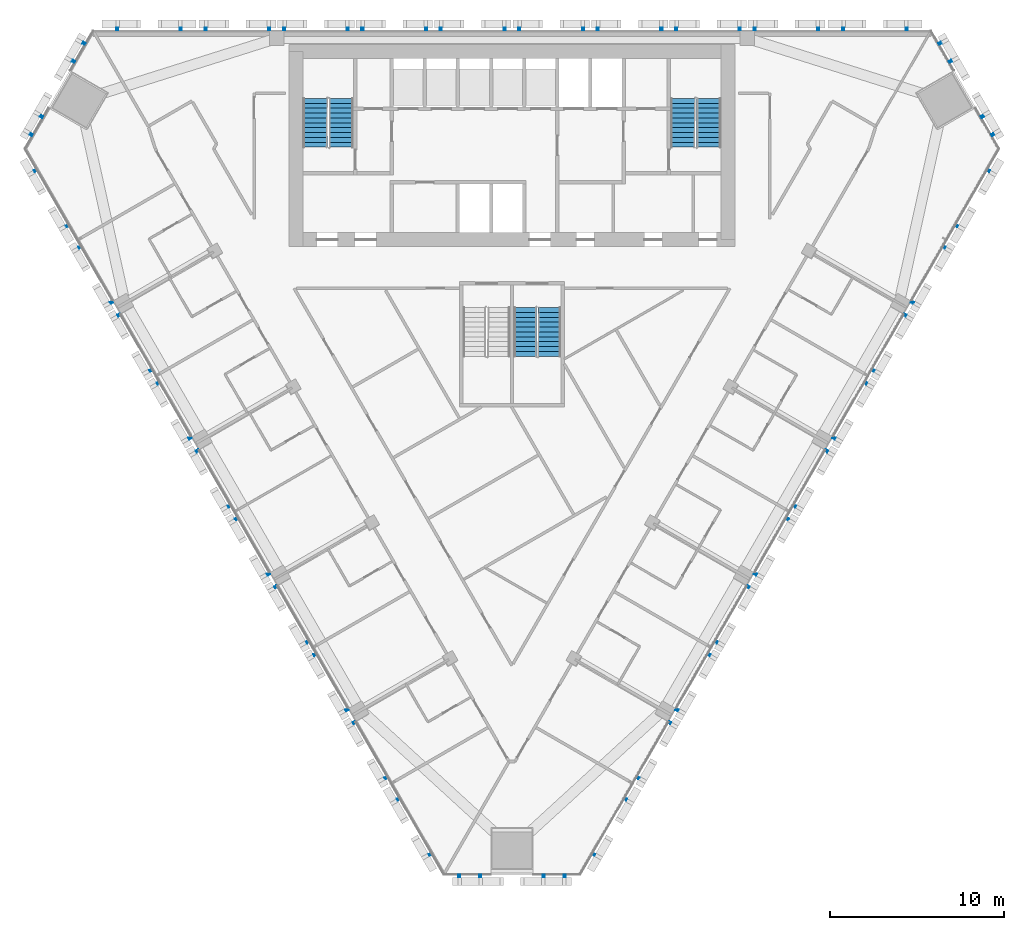
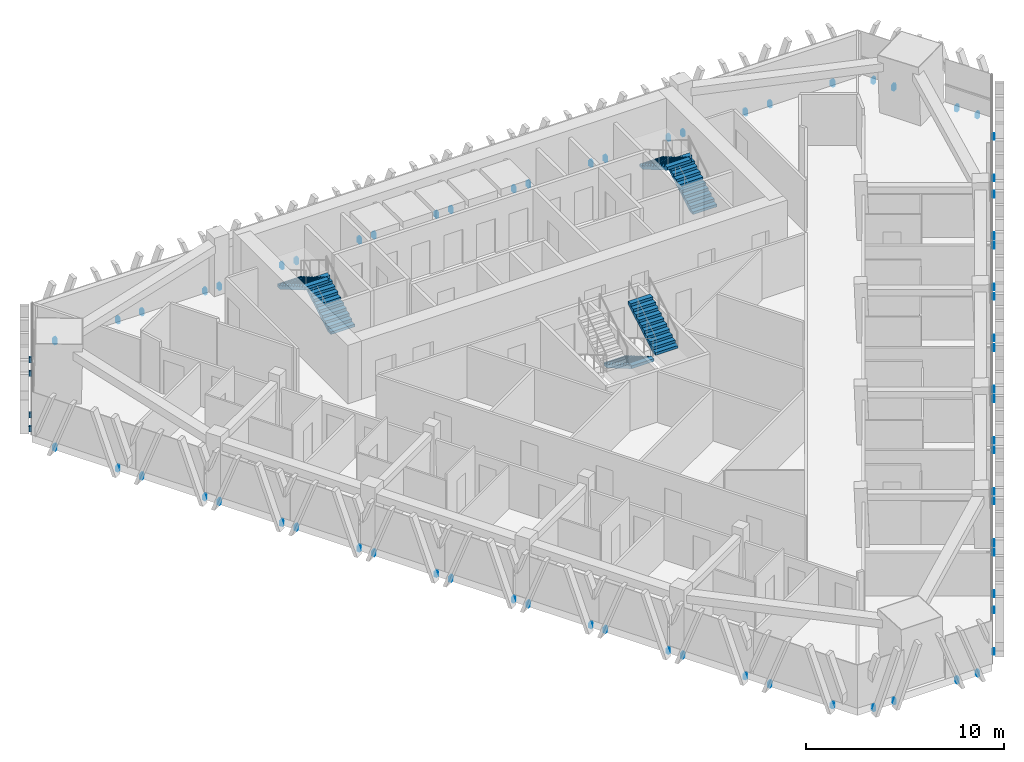
# One storey, part 13 of 16: 6 discrete accessories, 6 stair flights, 3 elements without a shape of their own.
"""IFC4 building model written with IfcOpenShell, lengths in metres."""

import ifcopenshell
import ifcopenshell.guid

model = None  # the IFC model being written
_history = None  # IfcOwnerHistory: only IFC2X3 demands one
_inside = {}  # id of a spatial element -> (the spatial element, [elements in it])
_under = {}  # id of a project, library or spatial element -> (it, [spatial elements below it])
_declared = {}  # id of a project -> (the project, [libraries it declares])
_typed = {}  # id of a type object -> (the type object, [elements of that type])
_made_of = {}  # id of a material, layer set ... -> (it, [elements and type objects made of it])


def new_model(schema):
    """Start an empty IFC model of exactly this schema.

    Asked for "IFC4X3", IfcOpenShell would pick the latest addendum, in which some entities
    have other attributes; the version numbers below select the first issue.
    IFC2X3 requires an IfcOwnerHistory on every rooted entity: one is made here for all.
    """
    global model, _history
    if schema == "IFC4X3":
        model = ifcopenshell.file(schema_version=(4, 3, 0, 0))
    else:
        model = ifcopenshell.file(schema=schema)
    _inside.clear()
    _under.clear()
    _declared.clear()
    _typed.clear()
    _made_of.clear()
    _history = None
    if model.schema == "IFC2X3":
        org = make("IfcOrganization", Name="unknown")
        user = make(
            "IfcPersonAndOrganization",
            ThePerson=make("IfcPerson", FamilyName="unknown"),
            TheOrganization=org,
        )
        app = make(
            "IfcApplication",
            ApplicationDeveloper=org,
            Version="unknown",
            ApplicationFullName="unknown",
            ApplicationIdentifier="unknown",
        )
        _history = make(
            "IfcOwnerHistory",
            OwningUser=user,
            OwningApplication=app,
            ChangeAction="ADDED",
            CreationDate=0,
        )
    return model


def make(cls, **values):
    """One entity of the class cls with the attributes given. An attribute that is None is left unset."""
    return model.create_entity(
        cls, **{name: value for name, value in values.items() if value is not None}
    )


def rooted(cls, **values):
    """An entity with a GlobalId (a new one), such as an element, a storey or a relation."""
    return make(cls, GlobalId=ifcopenshell.guid.new(), OwnerHistory=_history, **values)


def si_unit(unit_type, name, prefix=None):
    """IfcSIUnit, for example si_unit("LENGTHUNIT", "METRE", prefix="MILLI")."""
    return make("IfcSIUnit", UnitType=unit_type, Prefix=prefix, Name=name)


def assignment(units):
    """IfcUnitAssignment: the units of a project."""
    return None if units is None else make("IfcUnitAssignment", Units=units)


def point(xyz):
    """IfcCartesianPoint."""
    return None if xyz is None else make("IfcCartesianPoint", Coordinates=xyz)


def direction(xyz):
    """IfcDirection."""
    return None if xyz is None else make("IfcDirection", DirectionRatios=xyz)


def frame(location, z_axis=None, x_axis=None):
    """IfcAxis2Placement3D, a coordinate frame: its origin and axes. An axis left out is left unset."""
    return make(
        "IfcAxis2Placement3D",
        Location=point(location),
        Axis=direction(z_axis),
        RefDirection=direction(x_axis),
    )


def origin():
    """The frame at (0, 0, 0) with its axes left unset."""
    return frame((0.0, 0.0, 0.0))


def place(relative_to, where):
    """IfcLocalPlacement: puts the frame where relative to a parent placement (None: the world)."""
    return make(
        "IfcLocalPlacement", PlacementRelTo=relative_to, RelativePlacement=where
    )


def context(
    kind, dimensions, precision=None, world=None, true_north=None, identifier=None
):
    """IfcGeometricRepresentationContext, for example the 3D "Model" context."""
    return make(
        "IfcGeometricRepresentationContext",
        ContextIdentifier=identifier,
        ContextType=kind,
        CoordinateSpaceDimension=dimensions,
        Precision=precision,
        WorldCoordinateSystem=world,
        TrueNorth=true_north,
    )


def subcontext(parent, identifier, kind, view, scale=None):
    """IfcGeometricRepresentationSubContext, for example "Body" below "Model"."""
    return make(
        "IfcGeometricRepresentationSubContext",
        ContextIdentifier=identifier,
        ContextType=kind,
        ParentContext=parent,
        TargetScale=scale,
        TargetView=view,
    )


def project(units=None, contexts=None):
    """IfcProject with its units and contexts."""
    return rooted(
        "IfcProject",
        Name="project",
        RepresentationContexts=contexts,
        UnitsInContext=assignment(units),
    )


def spatial(cls, under=None, at=None, **own):
    """A site, building, storey or space (cls), placed at a placement, below another one or the project."""
    s = rooted(cls, ObjectPlacement=at, **own)
    if under is not None:
        _under.setdefault(under.id(), (under, []))[1].append(s)
    return s


def polyline(points):
    """IfcPolyline through the points."""
    return make("IfcPolyline", Points=[point(p) for p in points])


def outline(outer, holes=None, kind="AREA"):
    """IfcArbitraryClosedProfileDef: a profile drawn as a closed curve; with holes, ...WithVoids."""
    if holes is None:
        return make("IfcArbitraryClosedProfileDef", ProfileType=kind, OuterCurve=outer)
    return make(
        "IfcArbitraryProfileDefWithVoids",
        ProfileType=kind,
        OuterCurve=outer,
        InnerCurves=holes,
    )


def extrude(swept, where, along, depth):
    """IfcExtrudedAreaSolid: the profile swept, set in the frame where, extruded along a direction by depth."""
    return make(
        "IfcExtrudedAreaSolid",
        SweptArea=swept,
        Position=where,
        ExtrudedDirection=direction(along),
        Depth=depth,
    )


def shape(context_of_items, identifier, shape_type, items):
    """IfcShapeRepresentation: the items that make up one representation, for example the "Body"."""
    return make(
        "IfcShapeRepresentation",
        ContextOfItems=context_of_items,
        RepresentationIdentifier=identifier,
        RepresentationType=shape_type,
        Items=items,
    )


def source(mapping_origin, context_of_items, identifier, shape_type, items):
    """IfcRepresentationMap: a shape defined once, which mapped items show again and again."""
    return make(
        "IfcRepresentationMap",
        MappingOrigin=mapping_origin,
        MappedRepresentation=shape(context_of_items, identifier, shape_type, items),
    )


def transform(
    local_origin,
    x_axis=None,
    y_axis=None,
    z_axis=None,
    scale=None,
    scale2=None,
    scale3=None,
    uniform=True,
):
    """IfcCartesianTransformationOperator3D, or its non-uniform kind. x_axis, y_axis, z_axis: its Axis1, 2, 3."""
    if uniform:
        return make(
            "IfcCartesianTransformationOperator3D",
            Axis1=direction(x_axis),
            Axis2=direction(y_axis),
            LocalOrigin=point(local_origin),
            Scale=scale,
            Axis3=direction(z_axis),
        )
    return make(
        "IfcCartesianTransformationOperator3DnonUniform",
        Axis1=direction(x_axis),
        Axis2=direction(y_axis),
        LocalOrigin=point(local_origin),
        Scale=scale,
        Axis3=direction(z_axis),
        Scale2=scale2,
        Scale3=scale3,
    )


def mapped(mapping_source, mapping_target):
    """IfcMappedItem: shows the shape of a source again, moved by a transform."""
    return make(
        "IfcMappedItem", MappingSource=mapping_source, MappingTarget=mapping_target
    )


def material(Name=None, Category=None):
    """IfcMaterial."""
    return make("IfcMaterial", Name=Name, Category=Category)


def made_of(thing, what):
    """Note that an element or type object is made of a material, layer set ...; save() writes the relation."""
    if what is not None:
        _made_of.setdefault(what.id(), (what, []))[1].append(thing)
    return thing


def type_object(cls, material=None, **own):
    """A type object (cls), such as IfcWallType, which elements share."""
    return made_of(rooted(cls, **own), material)


def element(
    cls,
    number,
    at=None,
    inside=None,
    cuts=None,
    type_object=None,
    material=None,
    context=None,
    identifier="Body",
    shape_type=None,
    held_by="IfcProductDefinitionShape",
    body=None,
    shapes=None,
    **own,
):
    """One element of the class cls, such as IfcWall. Its Tag is "e" and its number.

    at: its placement. inside: the storey or other place that contains it. cuts: it is an
    opening in that element (IfcRelVoidsElement). A single representation is given by context,
    identifier, shape_type and body (its items); several are given by shapes. held_by: the class
    of the entity that holds the representations. save() writes the other relations.
    """
    e = rooted(cls, Tag="e%d" % number, ObjectPlacement=at, **own)
    if body is not None:
        shapes = [shape(context, identifier, shape_type, body)]
    if shapes is not None:
        e.Representation = make(held_by, Representations=shapes)
    if inside is not None:
        _inside.setdefault(inside.id(), (inside, []))[1].append(e)
    if cuts is not None:
        rooted(
            "IfcRelVoidsElement", RelatingBuildingElement=cuts, RelatedOpeningElement=e
        )
    if type_object is not None:
        _typed.setdefault(type_object.id(), (type_object, []))[1].append(e)
    return made_of(e, material)


def aggregate(whole, parts):
    """IfcRelAggregates: a whole, such as a stair, and the parts it consists of."""
    return rooted("IfcRelAggregates", RelatingObject=whole, RelatedObjects=parts)


def save(model, path):
    """Write the relations noted so far, then the file.

    IfcRelAggregates (storeys below a building ...), IfcRelContainedInSpatialStructure (elements
    in a storey), IfcRelDefinesByType, IfcRelAssociatesMaterial and IfcRelDeclares: one each for
    every whole, place, type object, material and project.
    """
    for whole, parts in _under.values():
        aggregate(whole, parts)
    for where, things in _inside.values():
        rooted(
            "IfcRelContainedInSpatialStructure",
            RelatedElements=things,
            RelatingStructure=where,
        )
    for kind, things in _typed.values():
        rooted("IfcRelDefinesByType", RelatedObjects=things, RelatingType=kind)
    for what, things in _made_of.values():
        rooted("IfcRelAssociatesMaterial", RelatedObjects=things, RelatingMaterial=what)
    for by, libraries in _declared.values():
        rooted("IfcRelDeclares", RelatingContext=by, RelatedDefinitions=libraries)
    model.write(path)


model = new_model("IFC4")

# Units and contexts
model_context = context("Model", 3, precision=1e-05, world=origin(), true_north=direction((0.0, 1.0)))
body_context = subcontext(model_context, "Body", "Model", "MODEL_VIEW")
ifc_project = project(units=[si_unit("LENGTHUNIT", "METRE"), si_unit("AREAUNIT", "SQUARE_METRE"), si_unit("VOLUMEUNIT", "CUBIC_METRE"), si_unit("PLANEANGLEUNIT", "RADIAN"), si_unit("MASSUNIT", "GRAM", prefix="KILO")], contexts=[model_context])

# Site, building, storey
site_placement = place(None, origin())
site = spatial("IfcSite", under=ifc_project, at=site_placement, CompositionType="ELEMENT")
building_placement = place(site_placement, origin())
building = spatial("IfcBuilding", under=site, at=building_placement, Name="Altiplano Prism Tower", CompositionType="ELEMENT")
storey_placement = place(building_placement, frame((0.0, 0.0, 127.800048828125)))
storey = spatial("IfcBuildingStorey", under=building, at=storey_placement, Name="L32", CompositionType="ELEMENT", Elevation=127.800048828125)

# Stair, stair flights
ifc_material_1 = material(Name="Concrete C40/50", Category="concrete")
stair_type_1 = type_object("IfcStairType", Name="Exit stair 1400", PredefinedType="HALF_TURN_STAIR", material=ifc_material_1)
stair_1_placement = place(storey_placement, origin())
stair_1 = element("IfcStair", 1, at=stair_1_placement, inside=storey, type_object=stair_type_1, Name="L32 Exit Stair 1", PredefinedType="HALF_TURN_STAIR")
stair_flight_type = type_object("IfcStairFlightType", Name="Stair flight concrete 150", PredefinedType="STRAIGHT", material=ifc_material_1)
stair_flight_1_placement = place(storey_placement, frame((75.199951171875, 98.300048828125, 0.0), z_axis=(0.0, 0.0, 1.0), x_axis=(0.0, 1.0, 0.0)))
stair_flight_1 = element("IfcStairFlight", 2, at=stair_flight_1_placement, type_object=stair_flight_type, Name="ST1 flight 1", NumberOfRisers=11, NumberOfTreads=10, PredefinedType="STRAIGHT", RiserHeight=0.163636364, TreadLength=0.28, context=body_context, shape_type="SweptSolid", body=[
    extrude(outline(polyline([(0.0, 0.0), (0.0, 0.16357421875), (0.280029296875, 0.16357421875), (0.280029296875, 0.327392578125), (0.56005859375, 0.327392578125), (0.56005859375, 0.490966796875), (0.840087890625, 0.490966796875), (0.840087890625, 0.654541015625), (1.1201171875, 0.654541015625), (1.1201171875, 0.818115234375), (1.39990234375, 0.818115234375), (1.39990234375, 0.98193359375), (1.679931640625, 0.98193359375), (1.679931640625, 1.1455078125), (1.9599609375, 1.1455078125), (1.9599609375, 1.30908203125), (2.239990234375, 1.30908203125), (2.239990234375, 1.47265625), (2.52001953125, 1.47265625), (2.52001953125, 1.636474609375), (2.800048828125, 1.636474609375), (2.800048828125, 1.800048828125), (2.800048828125, 1.462646484375), (0.297119140625, 0.0), (0.0, 0.0)])), frame((0.0, 0.699951171875, 0.0), z_axis=(0.0, -1.0, 0.0), x_axis=(1.0, 0.0, 0.0)), (0.0, 0.0, 1.0), 1.39990234375),
])
stair_flight_2_placement = place(storey_placement, frame((73.699951171875, 101.10009765625, 1.800048828125), z_axis=(0.0, 0.0, 1.0), x_axis=(0.0, -1.0, 0.0)))
stair_flight_2 = element("IfcStairFlight", 3, at=stair_flight_2_placement, type_object=stair_flight_type, Name="ST1 flight 2", NumberOfRisers=11, NumberOfTreads=10, PredefinedType="STRAIGHT", RiserHeight=0.163636364, TreadLength=0.28, context=body_context, shape_type="SweptSolid", body=[
    extrude(outline(polyline([(0.0, 0.0), (0.0, 0.16357421875), (0.280029296875, 0.16357421875), (0.280029296875, 0.327392578125), (0.56005859375, 0.327392578125), (0.56005859375, 0.490966796875), (0.840087890625, 0.490966796875), (0.840087890625, 0.654541015625), (1.1201171875, 0.654541015625), (1.1201171875, 0.818115234375), (1.39990234375, 0.818115234375), (1.39990234375, 0.98193359375), (1.679931640625, 0.98193359375), (1.679931640625, 1.1455078125), (1.9599609375, 1.1455078125), (1.9599609375, 1.30908203125), (2.239990234375, 1.30908203125), (2.239990234375, 1.47265625), (2.52001953125, 1.47265625), (2.52001953125, 1.636474609375), (2.800048828125, 1.636474609375), (2.800048828125, 1.800048828125), (2.800048828125, 1.462646484375), (0.297119140625, 0.0), (0.0, 0.0)])), frame((0.0, 0.699951171875, 0.0), z_axis=(0.0, -1.0, 0.0), x_axis=(1.0, 0.0, 0.0)), (0.0, 0.0, 1.0), 1.39990234375),
])
aggregate(stair_1, [stair_flight_1, stair_flight_2])

stair_2_placement = place(storey_placement, origin())
stair_2 = element("IfcStair", 4, at=stair_2_placement, inside=storey, type_object=stair_type_1, Name="L32 Exit Stair 2", PredefinedType="HALF_TURN_STAIR")
stair_flight_3_placement = place(storey_placement, frame((96.300048828125, 98.300048828125, 0.0), z_axis=(0.0, 0.0, 1.0), x_axis=(0.0, 1.0, 0.0)))
stair_flight_3 = element("IfcStairFlight", 5, at=stair_flight_3_placement, type_object=stair_flight_type, Name="ST2 flight 1", NumberOfRisers=11, NumberOfTreads=10, PredefinedType="STRAIGHT", RiserHeight=0.163636364, TreadLength=0.28, context=body_context, shape_type="SweptSolid", body=[
    extrude(outline(polyline([(0.0, 0.0), (0.0, 0.16357421875), (0.280029296875, 0.16357421875), (0.280029296875, 0.327392578125), (0.56005859375, 0.327392578125), (0.56005859375, 0.490966796875), (0.840087890625, 0.490966796875), (0.840087890625, 0.654541015625), (1.1201171875, 0.654541015625), (1.1201171875, 0.818115234375), (1.39990234375, 0.818115234375), (1.39990234375, 0.98193359375), (1.679931640625, 0.98193359375), (1.679931640625, 1.1455078125), (1.9599609375, 1.1455078125), (1.9599609375, 1.30908203125), (2.239990234375, 1.30908203125), (2.239990234375, 1.47265625), (2.52001953125, 1.47265625), (2.52001953125, 1.636474609375), (2.800048828125, 1.636474609375), (2.800048828125, 1.800048828125), (2.800048828125, 1.462646484375), (0.297119140625, 0.0), (0.0, 0.0)])), frame((0.0, 0.699951171875, 0.0), z_axis=(0.0, -1.0, 0.0), x_axis=(1.0, 0.0, 0.0)), (0.0, 0.0, 1.0), 1.39990234375),
])
stair_flight_4_placement = place(storey_placement, frame((94.800048828125, 101.10009765625, 1.800048828125), z_axis=(0.0, 0.0, 1.0), x_axis=(0.0, -1.0, 0.0)))
stair_flight_4 = element("IfcStairFlight", 6, at=stair_flight_4_placement, type_object=stair_flight_type, Name="ST2 flight 2", NumberOfRisers=11, NumberOfTreads=10, PredefinedType="STRAIGHT", RiserHeight=0.163636364, TreadLength=0.28, context=body_context, shape_type="SweptSolid", body=[
    extrude(outline(polyline([(0.0, 0.0), (0.0, 0.16357421875), (0.280029296875, 0.16357421875), (0.280029296875, 0.327392578125), (0.56005859375, 0.327392578125), (0.56005859375, 0.490966796875), (0.840087890625, 0.490966796875), (0.840087890625, 0.654541015625), (1.1201171875, 0.654541015625), (1.1201171875, 0.818115234375), (1.39990234375, 0.818115234375), (1.39990234375, 0.98193359375), (1.679931640625, 0.98193359375), (1.679931640625, 1.1455078125), (1.9599609375, 1.1455078125), (1.9599609375, 1.30908203125), (2.239990234375, 1.30908203125), (2.239990234375, 1.47265625), (2.52001953125, 1.47265625), (2.52001953125, 1.636474609375), (2.800048828125, 1.636474609375), (2.800048828125, 1.800048828125), (2.800048828125, 1.462646484375), (0.297119140625, 0.0), (0.0, 0.0)])), frame((0.0, 0.699951171875, 0.0), z_axis=(0.0, -1.0, 0.0), x_axis=(1.0, 0.0, 0.0)), (0.0, 0.0, 1.0), 1.39990234375),
])
aggregate(stair_2, [stair_flight_3, stair_flight_4])

stair_type_2 = type_object("IfcStairType", Name="Exit stair 1300", PredefinedType="HALF_TURN_STAIR", material=ifc_material_1)
stair_3_placement = place(storey_placement, origin())
stair_3 = element("IfcStair", 7, at=stair_3_placement, inside=storey, type_object=stair_type_2, Name="L32 Exit Stair 3B", PredefinedType="HALF_TURN_STAIR")
stair_flight_5_placement = place(storey_placement, frame((85.75, 89.10009765625, 0.0), z_axis=(0.0, 0.0, 1.0), x_axis=(0.0, -1.0, 0.0)))
stair_flight_5 = element("IfcStairFlight", 8, at=stair_flight_5_placement, type_object=stair_flight_type, Name="ST3B flight 1", NumberOfRisers=11, NumberOfTreads=10, PredefinedType="STRAIGHT", RiserHeight=0.163636364, TreadLength=0.28, context=body_context, shape_type="SweptSolid", body=[
    extrude(outline(polyline([(0.0, 0.0), (0.0, 0.16357421875), (0.280029296875, 0.16357421875), (0.280029296875, 0.327392578125), (0.56005859375, 0.327392578125), (0.56005859375, 0.490966796875), (0.840087890625, 0.490966796875), (0.840087890625, 0.654541015625), (1.1201171875, 0.654541015625), (1.1201171875, 0.818115234375), (1.39990234375, 0.818115234375), (1.39990234375, 0.98193359375), (1.679931640625, 0.98193359375), (1.679931640625, 1.1455078125), (1.9599609375, 1.1455078125), (1.9599609375, 1.30908203125), (2.239990234375, 1.30908203125), (2.239990234375, 1.47265625), (2.52001953125, 1.47265625), (2.52001953125, 1.636474609375), (2.800048828125, 1.636474609375), (2.800048828125, 1.800048828125), (2.800048828125, 1.462646484375), (0.297119140625, 0.0), (0.0, 0.0)])), frame((0.0, 0.64990234375, 0.0), z_axis=(0.0, -1.0, 0.0), x_axis=(1.0, 0.0, 0.0)), (0.0, 0.0, 1.0), 1.300048828125),
])
stair_flight_6_placement = place(storey_placement, frame((87.14990234375, 86.300048828125, 1.800048828125), z_axis=(0.0, 0.0, 1.0), x_axis=(0.0, 1.0, 0.0)))
stair_flight_6 = element("IfcStairFlight", 9, at=stair_flight_6_placement, type_object=stair_flight_type, Name="ST3B flight 2", NumberOfRisers=11, NumberOfTreads=10, PredefinedType="STRAIGHT", RiserHeight=0.163636364, TreadLength=0.28, context=body_context, shape_type="SweptSolid", body=[
    extrude(outline(polyline([(0.0, 0.0), (0.0, 0.16357421875), (0.280029296875, 0.16357421875), (0.280029296875, 0.327392578125), (0.56005859375, 0.327392578125), (0.56005859375, 0.490966796875), (0.840087890625, 0.490966796875), (0.840087890625, 0.654541015625), (1.1201171875, 0.654541015625), (1.1201171875, 0.818115234375), (1.39990234375, 0.818115234375), (1.39990234375, 0.98193359375), (1.679931640625, 0.98193359375), (1.679931640625, 1.1455078125), (1.9599609375, 1.1455078125), (1.9599609375, 1.30908203125), (2.239990234375, 1.30908203125), (2.239990234375, 1.47265625), (2.52001953125, 1.47265625), (2.52001953125, 1.636474609375), (2.800048828125, 1.636474609375), (2.800048828125, 1.800048828125), (2.800048828125, 1.462646484375), (0.297119140625, 0.0), (0.0, 0.0)])), frame((0.0, 0.64990234375, 0.0), z_axis=(0.0, -1.0, 0.0), x_axis=(1.0, 0.0, 0.0)), (0.0, 0.0, 1.0), 1.300048828125),
])
aggregate(stair_3, [stair_flight_5, stair_flight_6])

# Discrete accessories
ifc_material_2 = material(Name="Stainless steel", Category="steel")
discrete_accessory_type = type_object("IfcDiscreteAccessoryType", Name="Stone fin fixing prongs", PredefinedType="USERDEFINED", material=ifc_material_2)
shared_shape_1 = source(origin(), body_context, "Body", "SweptSolid", [
    extrude(outline(polyline([(-1.888427734375, 0.06005859375), (-1.768310546875, 0.06005859375), (-1.768310546875, 0.389892578125), (-1.888427734375, 0.389892578125), (-1.888427734375, 0.06005859375)])), frame((0.0, 0.0, 0.0), z_axis=(0.0, -1.0, 0.0), x_axis=(1.0, 0.0, 0.0)), (0.0, 0.0, 1.0), 0.14990234375),
    extrude(outline(polyline([(1.768310546875, 0.06005859375), (1.888427734375, 0.06005859375), (1.888427734375, 0.389892578125), (1.768310546875, 0.389892578125), (1.768310546875, 0.06005859375)])), frame((0.0, 0.0, 0.0), z_axis=(0.0, -1.0, 0.0), x_axis=(1.0, 0.0, 0.0)), (0.0, 0.0, 1.0), 0.14990234375),
])
shared_shape_2 = source(origin(), body_context, "Body", "SweptSolid", [
    extrude(outline(polyline([(-1.888427734375, 0.06005859375), (-1.768310546875, 0.06005859375), (-1.768310546875, 0.389892578125), (-1.888427734375, 0.389892578125), (-1.888427734375, 0.06005859375)])), frame((0.0, 0.0, 0.0), z_axis=(0.0, -1.0, 0.0), x_axis=(1.0, 0.0, 0.0)), (0.0, 0.0, 1.0), 0.14990234375),
    extrude(outline(polyline([(1.768310546875, 0.06005859375), (1.888427734375, 0.06005859375), (1.888427734375, 0.389892578125), (1.768310546875, 0.389892578125), (1.768310546875, 0.06005859375)])), frame((0.0, 0.0, 0.0), z_axis=(0.0, -1.0, 0.0), x_axis=(1.0, 0.0, 0.0)), (0.0, 0.0, 1.0), 0.14990234375),
])
discrete_accessory_1_placement = place(storey_placement, origin())
element("IfcDiscreteAccessory", 10, at=discrete_accessory_1_placement, inside=storey, type_object=discrete_accessory_type, Name="Fin fixings L32 north face", ObjectType="BRACKET", PredefinedType="USERDEFINED", context=body_context, shape_type="MappedRepresentation", body=[
    mapped(shared_shape_1, transform((105.824462890625, 105.0, -0.449951171875), x_axis=(-1.0, 0.0, 0.0), y_axis=(0.0, -1.0, 0.0), z_axis=(0.0, 0.0, 1.0))),
    mapped(shared_shape_2, transform((100.75, 105.0, -0.449951171875), x_axis=(-1.0, 0.0, 0.0), y_axis=(0.0, -1.0, 0.0), z_axis=(0.0, 0.0, 1.0))),
    mapped(shared_shape_2, transform((96.25, 105.0, -0.449951171875), x_axis=(-1.0, 0.0, 0.0), y_axis=(0.0, -1.0, 0.0), z_axis=(0.0, 0.0, 1.0))),
    mapped(shared_shape_2, transform((91.75, 105.0, -0.449951171875), x_axis=(-1.0, 0.0, 0.0), y_axis=(0.0, -1.0, 0.0), z_axis=(0.0, 0.0, 1.0))),
    mapped(shared_shape_2, transform((87.25, 105.0, -0.449951171875), x_axis=(-1.0, 0.0, 0.0), y_axis=(0.0, -1.0, 0.0), z_axis=(0.0, 0.0, 1.0))),
    mapped(shared_shape_2, transform((82.75, 105.0, -0.449951171875), x_axis=(-1.0, 0.0, 0.0), y_axis=(0.0, -1.0, 0.0), z_axis=(0.0, 0.0, 1.0))),
    mapped(shared_shape_2, transform((78.25, 105.0, -0.449951171875), x_axis=(-1.0, 0.0, 0.0), y_axis=(0.0, -1.0, 0.0), z_axis=(0.0, 0.0, 1.0))),
    mapped(shared_shape_2, transform((73.75, 105.0, -0.449951171875), x_axis=(-1.0, 0.0, 0.0), y_axis=(0.0, -1.0, 0.0), z_axis=(0.0, 0.0, 1.0))),
    mapped(shared_shape_2, transform((69.25, 105.0, -0.449951171875), x_axis=(-1.0, 0.0, 0.0), y_axis=(0.0, -1.0, 0.0), z_axis=(0.0, 0.0, 1.0))),
    mapped(shared_shape_1, transform((64.175537109375, 105.0, -0.449951171875), x_axis=(-1.0, 0.0, 0.0), y_axis=(0.0, -1.0, 0.0), z_axis=(0.0, 0.0, 1.0))),
])
discrete_accessory_2_placement = place(storey_placement, origin())
element("IfcDiscreteAccessory", 11, at=discrete_accessory_2_placement, inside=storey, type_object=discrete_accessory_type, Name="Fin fixings L32 south-west face", ObjectType="BRACKET", PredefinedType="USERDEFINED", context=body_context, shape_type="MappedRepresentation", body=[
    mapped(shared_shape_1, transform((58.640869140625, 95.413818359375, -0.449951171875), x_axis=(0.499999999907, -0.866025403838, 0.0), y_axis=(0.866025403838, 0.499999999907, 0.0), z_axis=(0.0, 0.0, 1.0))),
    mapped(shared_shape_2, transform((61.17822265625, 91.019287109375, -0.449951171875), x_axis=(0.499999999907, -0.866025403838, 0.0), y_axis=(0.866025403838, 0.499999999907, 0.0), z_axis=(0.0, 0.0, 1.0))),
    mapped(shared_shape_2, transform((63.42822265625, 87.1220703125, -0.449951171875), x_axis=(0.499999999907, -0.866025403838, 0.0), y_axis=(0.866025403838, 0.499999999907, 0.0), z_axis=(0.0, 0.0, 1.0))),
    mapped(shared_shape_2, transform((65.67822265625, 83.224853515625, -0.449951171875), x_axis=(0.499999999907, -0.866025403838, 0.0), y_axis=(0.866025403838, 0.499999999907, 0.0), z_axis=(0.0, 0.0, 1.0))),
    mapped(shared_shape_2, transform((67.92822265625, 79.327880859375, -0.449951171875), x_axis=(0.499999999907, -0.866025403838, 0.0), y_axis=(0.866025403838, 0.499999999907, 0.0), z_axis=(0.0, 0.0, 1.0))),
    mapped(shared_shape_2, transform((70.17822265625, 75.4306640625, -0.449951171875), x_axis=(0.499999999907, -0.866025403838, 0.0), y_axis=(0.866025403838, 0.499999999907, 0.0), z_axis=(0.0, 0.0, 1.0))),
    mapped(shared_shape_2, transform((72.42822265625, 71.53369140625, -0.449951171875), x_axis=(0.499999999907, -0.866025403838, 0.0), y_axis=(0.866025403838, 0.499999999907, 0.0), z_axis=(0.0, 0.0, 1.0))),
    mapped(shared_shape_2, transform((74.67822265625, 67.636474609375, -0.449951171875), x_axis=(0.499999999907, -0.866025403838, 0.0), y_axis=(0.866025403838, 0.499999999907, 0.0), z_axis=(0.0, 0.0, 1.0))),
    mapped(shared_shape_2, transform((76.92822265625, 63.739501953125, -0.449951171875), x_axis=(0.499999999907, -0.866025403838, 0.0), y_axis=(0.866025403838, 0.499999999907, 0.0), z_axis=(0.0, 0.0, 1.0))),
    mapped(shared_shape_1, transform((79.46533203125, 59.3447265625, -0.449951171875), x_axis=(0.499999999907, -0.866025403838, 0.0), y_axis=(0.866025403838, 0.499999999907, 0.0), z_axis=(0.0, 0.0, 1.0))),
])
discrete_accessory_3_placement = place(storey_placement, origin())
element("IfcDiscreteAccessory", 12, at=discrete_accessory_3_placement, inside=storey, type_object=discrete_accessory_type, Name="Fin fixings L32 south-east face", ObjectType="BRACKET", PredefinedType="USERDEFINED", context=body_context, shape_type="MappedRepresentation", body=[
    mapped(shared_shape_1, transform((90.53466796875, 59.3447265625, -0.449951171875), x_axis=(0.499999999907, 0.866025403838, 0.0), y_axis=(-0.866025403838, 0.499999999907, 0.0), z_axis=(0.0, 0.0, 1.0))),
    mapped(shared_shape_2, transform((93.07177734375, 63.739501953125, -0.449951171875), x_axis=(0.499999999907, 0.866025403838, 0.0), y_axis=(-0.866025403838, 0.499999999907, 0.0), z_axis=(0.0, 0.0, 1.0))),
    mapped(shared_shape_2, transform((95.32177734375, 67.636474609375, -0.449951171875), x_axis=(0.499999999907, 0.866025403838, 0.0), y_axis=(-0.866025403838, 0.499999999907, 0.0), z_axis=(0.0, 0.0, 1.0))),
    mapped(shared_shape_2, transform((97.57177734375, 71.53369140625, -0.449951171875), x_axis=(0.499999999907, 0.866025403838, 0.0), y_axis=(-0.866025403838, 0.499999999907, 0.0), z_axis=(0.0, 0.0, 1.0))),
    mapped(shared_shape_2, transform((99.82177734375, 75.4306640625, -0.449951171875), x_axis=(0.499999999907, 0.866025403838, 0.0), y_axis=(-0.866025403838, 0.499999999907, 0.0), z_axis=(0.0, 0.0, 1.0))),
    mapped(shared_shape_2, transform((102.07177734375, 79.327880859375, -0.449951171875), x_axis=(0.499999999907, 0.866025403838, 0.0), y_axis=(-0.866025403838, 0.499999999907, 0.0), z_axis=(0.0, 0.0, 1.0))),
    mapped(shared_shape_2, transform((104.32177734375, 83.224853515625, -0.449951171875), x_axis=(0.499999999907, 0.866025403838, 0.0), y_axis=(-0.866025403838, 0.499999999907, 0.0), z_axis=(0.0, 0.0, 1.0))),
    mapped(shared_shape_2, transform((106.57177734375, 87.1220703125, -0.449951171875), x_axis=(0.499999999907, 0.866025403838, 0.0), y_axis=(-0.866025403838, 0.499999999907, 0.0), z_axis=(0.0, 0.0, 1.0))),
    mapped(shared_shape_2, transform((108.82177734375, 91.019287109375, -0.449951171875), x_axis=(0.499999999907, 0.866025403838, 0.0), y_axis=(-0.866025403838, 0.499999999907, 0.0), z_axis=(0.0, 0.0, 1.0))),
    mapped(shared_shape_1, transform((111.359130859375, 95.413818359375, -0.449951171875), x_axis=(0.499999999907, 0.866025403838, 0.0), y_axis=(-0.866025403838, 0.499999999907, 0.0), z_axis=(0.0, 0.0, 1.0))),
])
shared_shape_3 = source(origin(), body_context, "Body", "SweptSolid", [
    extrude(outline(polyline([(-3.08837890625, 0.06005859375), (-2.968505859375, 0.06005859375), (-2.968505859375, 0.389892578125), (-3.08837890625, 0.389892578125), (-3.08837890625, 0.06005859375)])), frame((0.0, 0.0, 0.0), z_axis=(0.0, -1.0, 0.0), x_axis=(1.0, 0.0, 0.0)), (0.0, 0.0, 1.0), 0.14990234375),
    extrude(outline(polyline([(-1.888427734375, 0.06005859375), (-1.768310546875, 0.06005859375), (-1.768310546875, 0.389892578125), (-1.888427734375, 0.389892578125), (-1.888427734375, 0.06005859375)])), frame((0.0, 0.0, 0.0), z_axis=(0.0, -1.0, 0.0), x_axis=(1.0, 0.0, 0.0)), (0.0, 0.0, 1.0), 0.14990234375),
    extrude(outline(polyline([(1.768310546875, 0.06005859375), (1.888427734375, 0.06005859375), (1.888427734375, 0.389892578125), (1.768310546875, 0.389892578125), (1.768310546875, 0.06005859375)])), frame((0.0, 0.0, 0.0), z_axis=(0.0, -1.0, 0.0), x_axis=(1.0, 0.0, 0.0)), (0.0, 0.0, 1.0), 0.14990234375),
    extrude(outline(polyline([(2.968505859375, 0.06005859375), (3.08837890625, 0.06005859375), (3.08837890625, 0.389892578125), (2.968505859375, 0.389892578125), (2.968505859375, 0.06005859375)])), frame((0.0, 0.0, 0.0), z_axis=(0.0, -1.0, 0.0), x_axis=(1.0, 0.0, 0.0)), (0.0, 0.0, 1.0), 0.14990234375),
])
discrete_accessory_4_placement = place(storey_placement, origin())
element("IfcDiscreteAccessory", 13, at=discrete_accessory_4_placement, inside=storey, type_object=discrete_accessory_type, Name="Fin fixings L32 north-west chamfer", ObjectType="BRACKET", PredefinedType="USERDEFINED", context=body_context, shape_type="MappedRepresentation", body=[
    mapped(shared_shape_3, transform((58.989990234375, 101.60302734375, -0.449951171875), x_axis=(-0.499999999907, -0.866025403838, 0.0), y_axis=(0.866025403838, -0.499999999907, 0.0), z_axis=(0.0, 0.0, 1.0))),
])
discrete_accessory_5_placement = place(storey_placement, origin())
element("IfcDiscreteAccessory", 14, at=discrete_accessory_5_placement, inside=storey, type_object=discrete_accessory_type, Name="Fin fixings L32 south chamfer", ObjectType="BRACKET", PredefinedType="USERDEFINED", context=body_context, shape_type="MappedRepresentation", body=[
    mapped(shared_shape_3, transform((85.0, 56.552490234375, -0.449951171875), x_axis=(1.0, 0.0, 0.0), y_axis=(0.0, 1.0, 0.0), z_axis=(0.0, 0.0, 1.0))),
])
discrete_accessory_6_placement = place(storey_placement, origin())
element("IfcDiscreteAccessory", 15, at=discrete_accessory_6_placement, inside=storey, type_object=discrete_accessory_type, Name="Fin fixings L32 north-east chamfer", ObjectType="BRACKET", PredefinedType="USERDEFINED", context=body_context, shape_type="MappedRepresentation", body=[
    mapped(shared_shape_3, transform((111.010009765625, 101.60302734375, -0.449951171875), x_axis=(-0.499999999907, 0.866025403838, 0.0), y_axis=(-0.866025403838, -0.499999999907, 0.0), z_axis=(0.0, 0.0, 1.0))),
])

save(model, "model.ifc")
